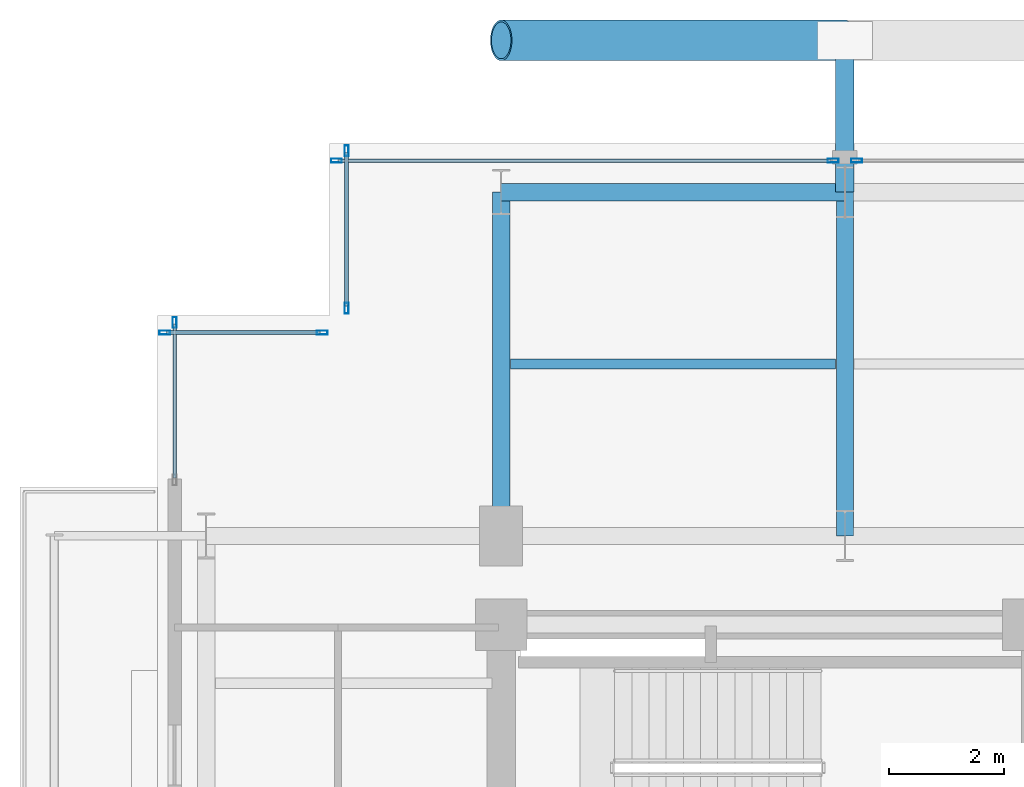
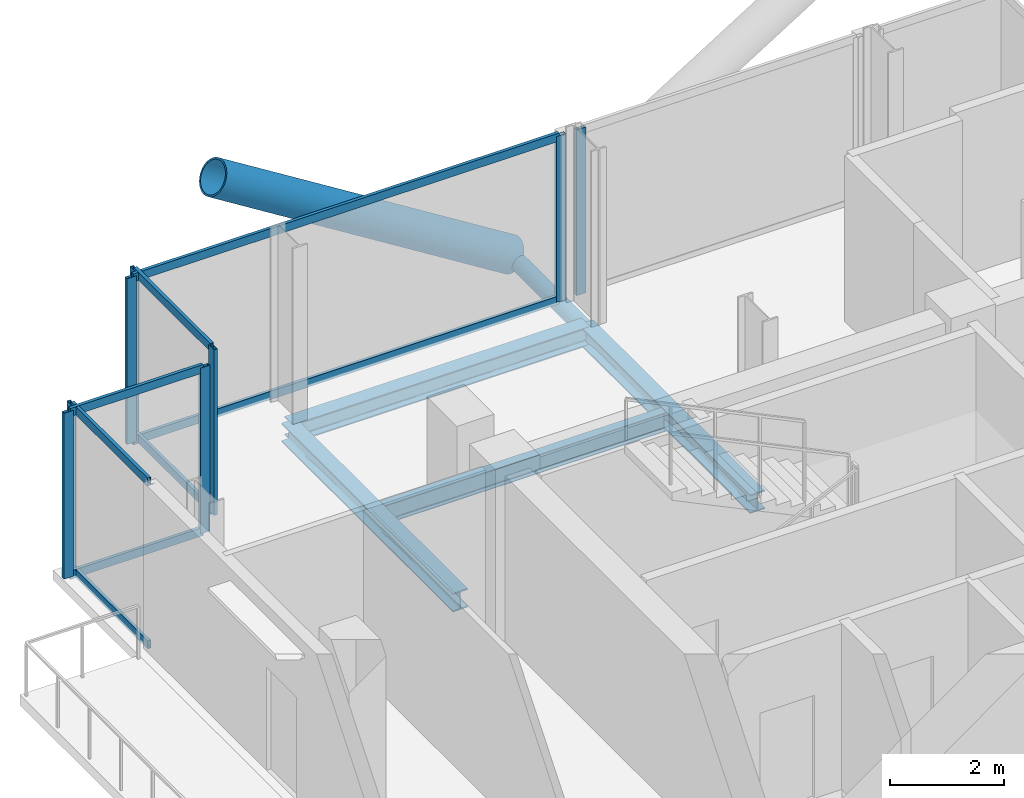
# One storey, part 14 of 25: 18 members, 4 beams, 5 elements without a shape of their own.
"""IFC4 building model written with IfcOpenShell, lengths in metres."""

from ifc_helpers import new_model, si_unit, direction, frame, origin, origin_2d, place, context, subcontext, project, spatial, hollow_rectangle, hollow_circle, i_section, extrude, material, layer, layer_set, material_profile, profile_set, type_object, element, aggregate, save


model = new_model("IFC4")

# Units and contexts
model_context = context("Model", 3, precision=1e-05, world=origin(), true_north=direction((0.0, 1.0)))
body_context = subcontext(model_context, "Body", "Model", "MODEL_VIEW")
ifc_project = project(units=[si_unit("LENGTHUNIT", "METRE"), si_unit("AREAUNIT", "SQUARE_METRE"), si_unit("VOLUMEUNIT", "CUBIC_METRE"), si_unit("PLANEANGLEUNIT", "RADIAN"), si_unit("MASSUNIT", "GRAM", prefix="KILO"), si_unit("THERMODYNAMICTEMPERATUREUNIT", "KELVIN"), si_unit("POWERUNIT", "WATT")], contexts=[model_context])

# Site, building, storey
site_placement = place(None, origin())
site = spatial("IfcSite", under=ifc_project, at=site_placement, CompositionType="ELEMENT")
building_placement = place(site_placement, origin())
building = spatial("IfcBuilding", under=site, at=building_placement, Name="Svarakhadi Broadcast Tower", CompositionType="ELEMENT")
storey_placement = place(building_placement, frame((0.0, 0.0, 216.14990234375)))
storey = spatial("IfcBuildingStorey", under=building, at=storey_placement, Name="L53", CompositionType="ELEMENT", Elevation=216.14990234375)

# Beam
ifc_material_1 = material(Name="Steel S355J2 (IS 2062 E350C)", Category="steel")
ifc_material_profile_1 = material_profile(ifc_material_1, i_section(OverallWidth=0.179931640625, OverallDepth=0.39990234375, WebThickness=0.008544921875, FlangeThickness=0.013427734375, FilletRadius=0.02099609375, at=origin_2d()), Name="NPB 400x180x66")
ifc_profile_set_1 = profile_set([ifc_material_profile_1], Name="Steel S355J2 (IS 2062 E350C)")
beam_type_1 = type_object("IfcBeamType", Name="Beam_NPB400", PredefinedType="BEAM", material=ifc_profile_set_1)
beam_placement = place(storey_placement, frame((6.159912109375, 32.14990234375, -0.409912109375), z_axis=(1.0, 0.0, 0.0), x_axis=(0.0, 1.0, 0.0)))
element("IfcBeam", 1, at=beam_placement, inside=storey, type_object=beam_type_1, Name="L53 Secondary Composite Beam SB008", PredefinedType="BEAM", context=body_context, shape_type="SweptSolid", body=[
    extrude(i_section(OverallWidth=0.179931640625, OverallDepth=0.39990234375, WebThickness=0.008544921875, FlangeThickness=0.013427734375, FilletRadius=0.02099609375, at=origin_2d()), origin(), (0.0, 0.0, 1.0), 5.68017578125),
])

# Curtain wall, member
ifc_material_2 = material(Name="Anodised Bronze Aluminium AA 6063-T6", Category="aluminium")
ifc_layer = layer(ifc_material_2, 0.18994140625)
ifc_layer_set = layer_set([ifc_layer], Name="Anodised Bronze Aluminium AA 6063-T6")
curtain_wall_type = type_object("IfcCurtainWallType", Name="CW_Sys_04", PredefinedType="NOTDEFINED", material=ifc_layer_set)
curtain_wall_1_placement = place(storey_placement, origin())
curtain_wall_1 = element("IfcCurtainWall", 2, at=curtain_wall_1_placement, inside=storey, type_object=curtain_wall_type, Name="L53 West Curtain Wall 03", PredefinedType="NOTDEFINED")
ifc_material_profile_2 = material_profile(ifc_material_2, hollow_rectangle(XDim=0.070068359375, YDim=0.18994140625, WallThickness=0.005615234375, at=origin_2d()), Name="ALU MULLION 190x70x6")
ifc_profile_set_2 = profile_set([ifc_material_profile_2], Name="Anodised Bronze Aluminium AA 6063-T6")
member_type_1 = type_object("IfcMemberType", Name="CW_Sys_04_Mul", PredefinedType="MULLION", material=ifc_profile_set_2)
member_1_placement = place(storey_placement, frame((0.300048828125, 32.875, 0.0), z_axis=(0.0, 0.0, 1.0), x_axis=(-1.0, 0.0, 0.0)))
member_1 = element("IfcMember", 3, at=member_1_placement, type_object=member_type_1, Name="CW-04 mullion 2", PredefinedType="MULLION", context=body_context, shape_type="SweptSolid", body=[
    extrude(hollow_rectangle(XDim=0.070068359375, YDim=0.18994140625, WallThickness=0.005615234375, at=origin_2d()), origin(), (0.0, 0.0, 1.0), 3.5400390625),
])

# Curtain wall, members
curtain_wall_2_placement = place(storey_placement, origin())
curtain_wall_2 = element("IfcCurtainWall", 4, at=curtain_wall_2_placement, inside=storey, type_object=curtain_wall_type, Name="L53 Unitised Facade Curtain Wall 04", PredefinedType="NOTDEFINED")
member_2_placement = place(storey_placement, frame((0.125, 32.699951171875, 0.0), z_axis=(0.0, 0.0, 1.0), x_axis=(0.0, 1.0, 0.0)))
member_2 = element("IfcMember", 5, at=member_2_placement, type_object=member_type_1, Name="CW-04 mullion 1", PredefinedType="MULLION", context=body_context, shape_type="SweptSolid", body=[
    extrude(hollow_rectangle(XDim=0.070068359375, YDim=0.18994140625, WallThickness=0.005615234375, at=origin_2d()), origin(), (0.0, 0.0, 1.0), 3.5400390625),
])
member_3_placement = place(storey_placement, frame((2.875, 32.699951171875, 0.0), z_axis=(0.0, 0.0, 1.0), x_axis=(0.0, 1.0, 0.0)))
member_3 = element("IfcMember", 6, at=member_3_placement, type_object=member_type_1, Name="CW-04 mullion 2", PredefinedType="MULLION", context=body_context, shape_type="SweptSolid", body=[
    extrude(hollow_rectangle(XDim=0.070068359375, YDim=0.18994140625, WallThickness=0.005615234375, at=origin_2d()), origin(), (0.0, 0.0, 1.0), 3.5400390625),
])

curtain_wall_3_placement = place(storey_placement, origin())
curtain_wall_3 = element("IfcCurtainWall", 7, at=curtain_wall_3_placement, inside=storey, type_object=curtain_wall_type, Name="L53 Unitised Facade Curtain Wall 05", PredefinedType="NOTDEFINED")
member_4_placement = place(storey_placement, frame((3.300048828125, 33.125, 0.0), z_axis=(0.0, 0.0, 1.0), x_axis=(-1.0, 0.0, 0.0)))
member_4 = element("IfcMember", 8, at=member_4_placement, type_object=member_type_1, Name="CW-04 mullion 1", PredefinedType="MULLION", context=body_context, shape_type="SweptSolid", body=[
    extrude(hollow_rectangle(XDim=0.070068359375, YDim=0.18994140625, WallThickness=0.005615234375, at=origin_2d()), origin(), (0.0, 0.0, 1.0), 3.5400390625),
])
member_5_placement = place(storey_placement, frame((3.300048828125, 35.875, 0.0), z_axis=(0.0, 0.0, 1.0), x_axis=(-1.0, 0.0, 0.0)))
member_5 = element("IfcMember", 9, at=member_5_placement, type_object=member_type_1, Name="CW-04 mullion 2", PredefinedType="MULLION", context=body_context, shape_type="SweptSolid", body=[
    extrude(hollow_rectangle(XDim=0.070068359375, YDim=0.18994140625, WallThickness=0.005615234375, at=origin_2d()), origin(), (0.0, 0.0, 1.0), 3.5400390625),
])

curtain_wall_4_placement = place(storey_placement, origin())
curtain_wall_4 = element("IfcCurtainWall", 10, at=curtain_wall_4_placement, inside=storey, type_object=curtain_wall_type, Name="L53 Unitised Facade Curtain Wall 06 Bay 1", PredefinedType="NOTDEFINED")
member_6_placement = place(storey_placement, frame((3.125, 35.699951171875, 0.0), z_axis=(0.0, 0.0, 1.0), x_axis=(0.0, 1.0, 0.0)))
member_6 = element("IfcMember", 11, at=member_6_placement, type_object=member_type_1, Name="CW-04 mullion 1", PredefinedType="MULLION", context=body_context, shape_type="SweptSolid", body=[
    extrude(hollow_rectangle(XDim=0.070068359375, YDim=0.18994140625, WallThickness=0.005615234375, at=origin_2d()), origin(), (0.0, 0.0, 1.0), 3.5400390625),
])
member_7_placement = place(storey_placement, frame((11.794921875, 35.699951171875, 0.0), z_axis=(0.0, 0.0, 1.0), x_axis=(0.0, 1.0, 0.0)))
member_7 = element("IfcMember", 12, at=member_7_placement, type_object=member_type_1, Name="CW-04 mullion 2", PredefinedType="MULLION", context=body_context, shape_type="SweptSolid", body=[
    extrude(hollow_rectangle(XDim=0.070068359375, YDim=0.18994140625, WallThickness=0.005615234375, at=origin_2d()), origin(), (0.0, 0.0, 1.0), 3.5400390625),
])

# Curtain wall, member
curtain_wall_5_placement = place(storey_placement, origin())
curtain_wall_5 = element("IfcCurtainWall", 13, at=curtain_wall_5_placement, inside=storey, type_object=curtain_wall_type, Name="L53 Unitised Facade Curtain Wall 06 Bay 2", PredefinedType="NOTDEFINED")
member_8_placement = place(storey_placement, frame((12.205078125, 35.699951171875, 0.0), z_axis=(0.0, 0.0, 1.0), x_axis=(0.0, 1.0, 0.0)))
member_8 = element("IfcMember", 14, at=member_8_placement, type_object=member_type_1, Name="CW-04 mullion 1", PredefinedType="MULLION", context=body_context, shape_type="SweptSolid", body=[
    extrude(hollow_rectangle(XDim=0.070068359375, YDim=0.18994140625, WallThickness=0.005615234375, at=origin_2d()), origin(), (0.0, 0.0, 1.0), 3.5400390625),
])
aggregate(curtain_wall_5, [member_8])

# Member
ifc_material_profile_3 = material_profile(ifc_material_2, hollow_rectangle(XDim=0.06494140625, YDim=0.175048828125, WallThickness=0.0048828125, at=origin_2d()), Name="ALU TRANSOM 175x65x5")
ifc_profile_set_3 = profile_set([ifc_material_profile_3], Name="Anodised Bronze Aluminium AA 6063-T6")
member_type_2 = type_object("IfcMemberType", Name="CW_Sys_04_Trn", PredefinedType="USERDEFINED", material=ifc_profile_set_3)
member_9_placement = place(storey_placement, frame((0.300048828125, 30.159912109375, 0.03271484375), z_axis=(0.0, 1.0, 0.0), x_axis=(-1.0, 0.0, 0.0)))
member_9 = element("IfcMember", 15, at=member_9_placement, type_object=member_type_2, Name="CW-04 transom 1.1", ObjectType="TRANSOM", PredefinedType="USERDEFINED", context=body_context, shape_type="SweptSolid", body=[
    extrude(hollow_rectangle(XDim=0.06494140625, YDim=0.175048828125, WallThickness=0.0048828125, at=origin_2d()), origin(), (0.0, 0.0, 1.0), 2.68017578125),
])

member_10_placement = place(storey_placement, frame((0.300048828125, 30.159912109375, 3.507568359375), z_axis=(0.0, 1.0, 0.0), x_axis=(-1.0, 0.0, 0.0)))
member_10 = element("IfcMember", 16, at=member_10_placement, type_object=member_type_2, Name="CW-04 transom 1.2", ObjectType="TRANSOM", PredefinedType="USERDEFINED", context=body_context, shape_type="SweptSolid", body=[
    extrude(hollow_rectangle(XDim=0.06494140625, YDim=0.175048828125, WallThickness=0.0048828125, at=origin_2d()), origin(), (0.0, 0.0, 1.0), 2.68017578125),
])

aggregate(curtain_wall_1, [member_1, member_9, member_10])

member_11_placement = place(storey_placement, frame((0.159912109375, 32.699951171875, 0.03271484375), z_axis=(1.0, 0.0, 0.0), x_axis=(0.0, 1.0, 0.0)))
member_11 = element("IfcMember", 17, at=member_11_placement, type_object=member_type_2, Name="CW-04 transom 1.1", ObjectType="TRANSOM", PredefinedType="USERDEFINED", context=body_context, shape_type="SweptSolid", body=[
    extrude(hollow_rectangle(XDim=0.06494140625, YDim=0.175048828125, WallThickness=0.0048828125, at=origin_2d()), origin(), (0.0, 0.0, 1.0), 2.68017578125),
])

member_12_placement = place(storey_placement, frame((0.159912109375, 32.699951171875, 3.507568359375), z_axis=(1.0, 0.0, 0.0), x_axis=(0.0, 1.0, 0.0)))
member_12 = element("IfcMember", 18, at=member_12_placement, type_object=member_type_2, Name="CW-04 transom 1.2", ObjectType="TRANSOM", PredefinedType="USERDEFINED", context=body_context, shape_type="SweptSolid", body=[
    extrude(hollow_rectangle(XDim=0.06494140625, YDim=0.175048828125, WallThickness=0.0048828125, at=origin_2d()), origin(), (0.0, 0.0, 1.0), 2.68017578125),
])

aggregate(curtain_wall_2, [member_2, member_3, member_11, member_12])

member_13_placement = place(storey_placement, frame((3.300048828125, 33.159912109375, 0.03271484375), z_axis=(0.0, 1.0, 0.0), x_axis=(-1.0, 0.0, 0.0)))
member_13 = element("IfcMember", 19, at=member_13_placement, type_object=member_type_2, Name="CW-04 transom 1.1", ObjectType="TRANSOM", PredefinedType="USERDEFINED", context=body_context, shape_type="SweptSolid", body=[
    extrude(hollow_rectangle(XDim=0.06494140625, YDim=0.175048828125, WallThickness=0.0048828125, at=origin_2d()), origin(), (0.0, 0.0, 1.0), 2.68017578125),
])

member_14_placement = place(storey_placement, frame((3.300048828125, 33.159912109375, 3.507568359375), z_axis=(0.0, 1.0, 0.0), x_axis=(-1.0, 0.0, 0.0)))
member_14 = element("IfcMember", 20, at=member_14_placement, type_object=member_type_2, Name="CW-04 transom 1.2", ObjectType="TRANSOM", PredefinedType="USERDEFINED", context=body_context, shape_type="SweptSolid", body=[
    extrude(hollow_rectangle(XDim=0.06494140625, YDim=0.175048828125, WallThickness=0.0048828125, at=origin_2d()), origin(), (0.0, 0.0, 1.0), 2.68017578125),
])

aggregate(curtain_wall_3, [member_4, member_5, member_13, member_14])

member_15_placement = place(storey_placement, frame((3.159912109375, 35.699951171875, 0.03271484375), z_axis=(1.0, 0.0, 0.0), x_axis=(0.0, 1.0, 0.0)))
member_15 = element("IfcMember", 21, at=member_15_placement, type_object=member_type_2, Name="CW-04 transom 1.1", ObjectType="TRANSOM", PredefinedType="USERDEFINED", context=body_context, shape_type="SweptSolid", body=[
    extrude(hollow_rectangle(XDim=0.06494140625, YDim=0.175048828125, WallThickness=0.0048828125, at=origin_2d()), origin(), (0.0, 0.0, 1.0), 8.60009765625),
])

member_16_placement = place(storey_placement, frame((3.159912109375, 35.699951171875, 3.507568359375), z_axis=(1.0, 0.0, 0.0), x_axis=(0.0, 1.0, 0.0)))
member_16 = element("IfcMember", 22, at=member_16_placement, type_object=member_type_2, Name="CW-04 transom 1.2", ObjectType="TRANSOM", PredefinedType="USERDEFINED", context=body_context, shape_type="SweptSolid", body=[
    extrude(hollow_rectangle(XDim=0.06494140625, YDim=0.175048828125, WallThickness=0.0048828125, at=origin_2d()), origin(), (0.0, 0.0, 1.0), 8.60009765625),
])

aggregate(curtain_wall_4, [member_6, member_7, member_15, member_16])

# Members
ifc_material_3 = material(Name="Steel S460ML (IS 2062 E450BR)", Category="steel")
ifc_material_profile_4 = material_profile(ifc_material_3, hollow_circle(Radius=0.35546875, WallThickness=0.034912109375, at=origin_2d()), Name="CHS 711x35")
ifc_profile_set_4 = profile_set([ifc_material_profile_4], Name="Steel S460ML (IS 2062 E450BR)")
member_type_3 = type_object("IfcMemberType", Name="Exo_Brace_CHS711", PredefinedType="BRACE", material=ifc_profile_set_4)
member_17_placement = place(storey_placement, frame((12.0, 37.800048828125, -0.371826171875), z_axis=(-0.847998304005, 0.0, 0.529998940003), x_axis=(0.0, -1.0, 0.0)))
element("IfcMember", 23, at=member_17_placement, inside=storey, type_object=member_type_3, Name="L53 Exposed Bronze Exoskeleton Diagonal N08", PredefinedType="BRACE", context=body_context, shape_type="SweptSolid", body=[
    extrude(hollow_circle(Radius=0.35546875, WallThickness=0.034912109375, at=origin_2d()), origin(), (0.0, 0.0, 1.0), 7.075439453125),
])
ifc_material_profile_5 = material_profile(ifc_material_3, hollow_circle(Radius=0.161865234375, WallThickness=0.01611328125, at=origin_2d()), Name="CHS 323.9x16")
ifc_profile_set_5 = profile_set([ifc_material_profile_5], Name="Steel S460ML (IS 2062 E450BR)")
member_type_4 = type_object("IfcMemberType", Name="Exo_Radial_Strut_Z2", PredefinedType="STRUT", material=ifc_profile_set_5)
member_18_placement = place(storey_placement, frame((12.0, 37.800048828125, -0.371826171875), z_axis=(0.0, -1.0, 0.0), x_axis=(1.0, 0.0, 0.0)))
element("IfcMember", 24, at=member_18_placement, inside=storey, type_object=member_type_4, Name="L53 Exoskeleton Radial Tie Strut N05", PredefinedType="STRUT", context=body_context, shape_type="SweptSolid", body=[
    extrude(hollow_circle(Radius=0.161865234375, WallThickness=0.01611328125, at=origin_2d()), origin(), (0.0, 0.0, 1.0), 2.650146484375),
])

# Beams
ifc_material_profile_6 = material_profile(ifc_material_1, i_section(OverallWidth=0.300048828125, OverallDepth=0.39990234375, WebThickness=0.013427734375, FlangeThickness=0.02392578125, FilletRadius=0.027099609375, at=origin_2d()), Name="WPB 400x300x155")
ifc_profile_set_6 = profile_set([ifc_material_profile_6], Name="Steel S355J2 (IS 2062 E350C)")
beam_type_2 = type_object("IfcBeamType", Name="Girder_WPB400", PredefinedType="USERDEFINED", material=ifc_profile_set_6)
for number, where, z_axis, x_axis, name in (
    (25, (6.0, 35.14990234375, -0.409912109375), (1.0, 0.0, 0.0), (0.0, 1.0, 0.0), "L53 Primary E-W Girder G031"),
    (26, (6.0, 29.14990234375, -0.409912109375), (0.0, 1.0, 0.0), (-1.0, 0.0, 0.0), "L53 Primary N-S Girder G041"),
    (27, (12.0, 29.14990234375, -0.409912109375), (0.0, 1.0, 0.0), (-1.0, 0.0, 0.0), "L53 Primary N-S Girder G045"),
):
    element("IfcBeam", number, at=place(storey_placement, frame(where, z_axis=z_axis, x_axis=x_axis)), inside=storey, type_object=beam_type_2, Name=name, ObjectType="GIRDER", PredefinedType="USERDEFINED", context=body_context, shape_type="SweptSolid", body=[
        extrude(i_section(OverallWidth=0.300048828125, OverallDepth=0.39990234375, WebThickness=0.013427734375, FlangeThickness=0.02392578125, FilletRadius=0.027099609375, at=origin_2d()), origin(), (0.0, 0.0, 1.0), 6.0),
    ])

save(model, "model.ifc")
